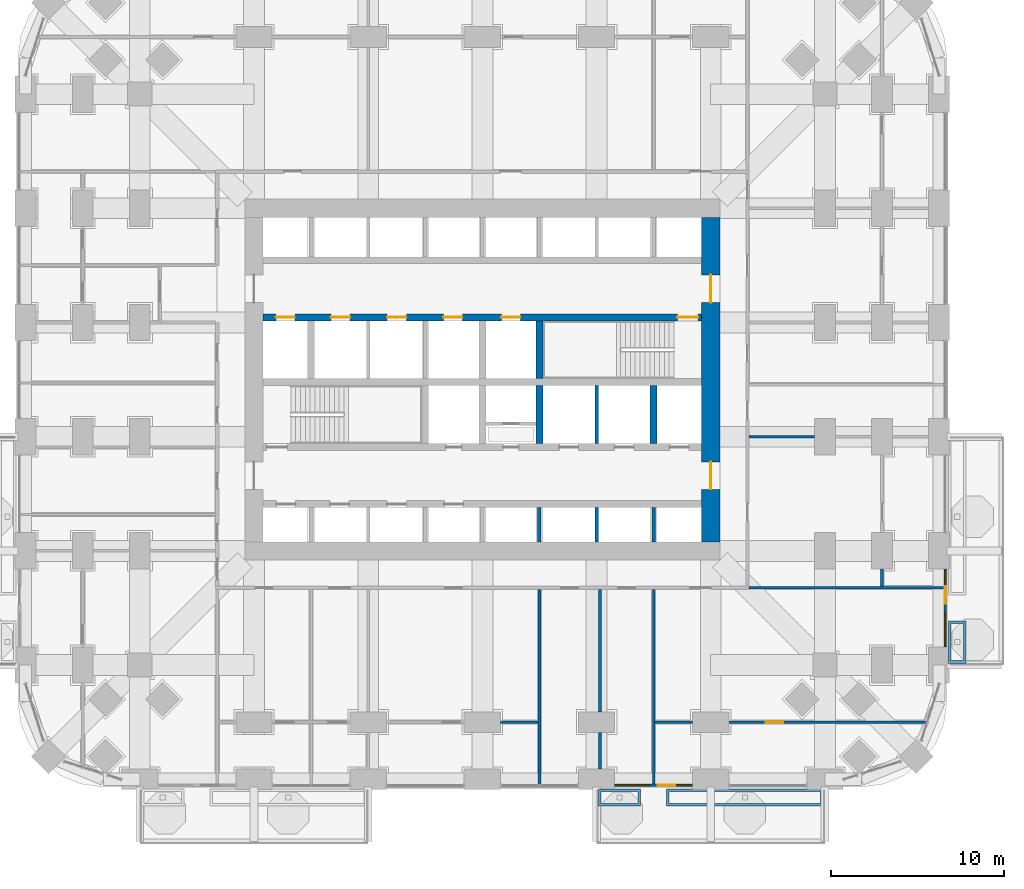
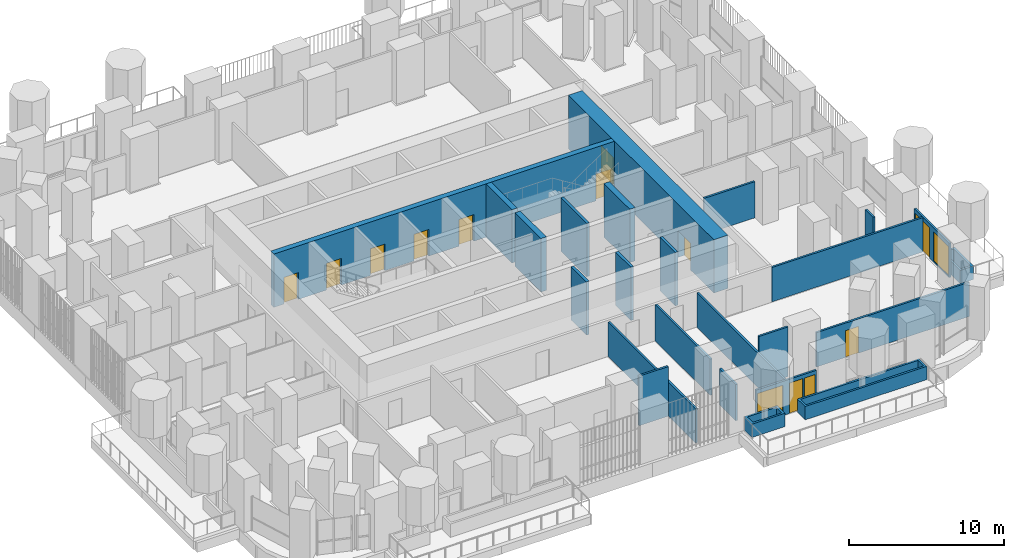
# One storey, part 20 of 27: 24 walls, 11 doors, 4 windows, 15 openings.
"""IFC4 building model written with IfcOpenShell, lengths in metres."""

from ifc_helpers import new_model, si_unit, direction, frame, frame_2d, origin, place, context, subcontext, project, spatial, polyline, rectangle, outline, extrude, material, layer, layer_set, type_object, element, fill, save


model = new_model("IFC4")

# Units and contexts
model_context = context("Model", 3, precision=1e-05, world=origin(), true_north=direction((0.0, 1.0)))
body_context = subcontext(model_context, "Body", "Model", "MODEL_VIEW")
ifc_project = project(units=[si_unit("LENGTHUNIT", "METRE"), si_unit("AREAUNIT", "SQUARE_METRE"), si_unit("VOLUMEUNIT", "CUBIC_METRE"), si_unit("PLANEANGLEUNIT", "RADIAN"), si_unit("MASSUNIT", "GRAM", prefix="KILO")], contexts=[model_context])

# Site, building, storey
site_placement = place(None, origin())
site = spatial("IfcSite", under=ifc_project, at=site_placement, CompositionType="ELEMENT")
building_placement = place(site_placement, origin())
building = spatial("IfcBuilding", under=site, at=building_placement, Name="Cobogo Forest Laboratory Tower", CompositionType="ELEMENT")
storey_placement = place(building_placement, frame((0.0, 0.0, 46.5)))
storey = spatial("IfcBuildingStorey", under=building, at=storey_placement, Name="L10", CompositionType="ELEMENT", Elevation=46.5)

# Wall, openings, doors
ifc_material_1 = material(Name="Concrete HA-50 (C50/60)", Category="concrete")
ifc_layer_1 = layer(ifc_material_1, 0.39990234375)
ifc_layer_set_1 = layer_set([ifc_layer_1], Name="CI400 core inner wall 400")
wall_type_1 = type_object("IfcWallType", Name="CI400 core inner wall 400", PredefinedType="SHEAR", material=ifc_layer_set_1)
wall_1_placement = place(storey_placement, frame((13.72509765625, 26.699951171875, 0.0), z_axis=(0.0, 0.0, 1.0), x_axis=(1.0, 0.0, 0.0)))
wall_1 = element("IfcWall", 1, at=wall_1_placement, inside=storey, type_object=wall_type_1, Name="Core wall CI-26.7 L10", PredefinedType="SHEAR", context=body_context, shape_type="SweptSolid", body=[
    extrude(rectangle(XDim=25.349853515625, YDim=0.39990234375, at=frame_2d((12.6748046875, 0.0))), origin(), (0.0, 0.0, 1.0), 4.199951171875),
])
opening_1_placement = place(wall_1_placement, frame((23.949951171875, 0.0, 0.0)))
opening_1 = element("IfcOpeningElement", 2, at=opening_1_placement, cuts=wall_1, Name="Opening L10-D31", PredefinedType="OPENING", context=body_context, shape_type="SweptSolid", body=[
    extrude(rectangle(XDim=1.199951171875, YDim=2.10009765625, at=frame_2d((0.60009765625, 1.050048828125))), frame((0.0, 0.2099609375, 0.0), z_axis=(0.0, -1.0, 0.0), x_axis=(1.0, 0.0, 0.0)), (0.0, 0.0, 1.0), 0.419921875),
])
opening_2_placement = place(wall_1_placement, frame((0.737548828125, 0.0, 0.0)))
opening_2 = element("IfcOpeningElement", 3, at=opening_2_placement, cuts=wall_1, Name="Opening L10-LD-FL1", PredefinedType="OPENING", context=body_context, shape_type="SweptSolid", body=[
    extrude(rectangle(XDim=1.10009765625, YDim=2.10009765625, at=frame_2d((0.550048828125, 1.050048828125))), frame((0.0, 0.2099609375, 0.0), z_axis=(0.0, -1.0, 0.0), x_axis=(1.0, 0.0, 0.0)), (0.0, 0.0, 1.0), 0.419921875),
])
opening_3_placement = place(wall_1_placement, frame((3.925048828125, 0.0, 0.0)))
opening_3 = element("IfcOpeningElement", 4, at=opening_3_placement, cuts=wall_1, Name="Opening L10-LD-LS3", PredefinedType="OPENING", context=body_context, shape_type="SweptSolid", body=[
    extrude(rectangle(XDim=1.10009765625, YDim=2.10009765625, at=frame_2d((0.550048828125, 1.050048828125))), frame((0.0, 0.2099609375, 0.0), z_axis=(0.0, -1.0, 0.0), x_axis=(1.0, 0.0, 0.0)), (0.0, 0.0, 1.0), 0.419921875),
])
opening_4_placement = place(wall_1_placement, frame((7.175048828125, 0.0, 0.0)))
opening_4 = element("IfcOpeningElement", 5, at=opening_4_placement, cuts=wall_1, Name="Opening L10-LD-LS4", PredefinedType="OPENING", context=body_context, shape_type="SweptSolid", body=[
    extrude(rectangle(XDim=1.10009765625, YDim=2.10009765625, at=frame_2d((0.550048828125, 1.050048828125))), frame((0.0, 0.2099609375, 0.0), z_axis=(0.0, -1.0, 0.0), x_axis=(1.0, 0.0, 0.0)), (0.0, 0.0, 1.0), 0.419921875),
])
opening_5_placement = place(wall_1_placement, frame((10.425048828125, 0.0, 0.0)))
opening_5 = element("IfcOpeningElement", 6, at=opening_5_placement, cuts=wall_1, Name="Opening L10-LD-LS5", PredefinedType="OPENING", context=body_context, shape_type="SweptSolid", body=[
    extrude(rectangle(XDim=1.10009765625, YDim=2.10009765625, at=frame_2d((0.550048828125, 1.050048828125))), frame((0.0, 0.2099609375, 0.0), z_axis=(0.0, -1.0, 0.0), x_axis=(1.0, 0.0, 0.0)), (0.0, 0.0, 1.0), 0.419921875),
])
opening_6_placement = place(wall_1_placement, frame((13.77490234375, 0.0, 0.0)))
opening_6 = element("IfcOpeningElement", 7, at=opening_6_placement, cuts=wall_1, Name="Opening L10-LD-LS6", PredefinedType="OPENING", context=body_context, shape_type="SweptSolid", body=[
    extrude(rectangle(XDim=1.10009765625, YDim=2.10009765625, at=frame_2d((0.550048828125, 1.050048828125))), frame((0.0, 0.2099609375, 0.0), z_axis=(0.0, -1.0, 0.0), x_axis=(1.0, 0.0, 0.0)), (0.0, 0.0, 1.0), 0.419921875),
])
ifc_material_2 = material(Name="Steel fire door", Category="steel")
door_type_1 = type_object("IfcDoorType", Name="DS1 protected stair door 1200 EI2 60", OperationType="SINGLE_SWING_LEFT", PredefinedType="DOOR", material=ifc_material_2)
door_1_placement = place(opening_1_placement, origin())
door_1 = element("IfcDoor", 8, at=door_1_placement, inside=storey, type_object=door_type_1, Name="Door L10-ST2", OperationType="SINGLE_SWING_RIGHT", OverallHeight=2.10009765625, OverallWidth=1.199951171875, PredefinedType="DOOR", context=body_context, shape_type="SweptSolid", body=[
    extrude(rectangle(XDim=1.199951171875, YDim=2.10009765625, at=frame_2d((0.60009765625, 1.050048828125))), frame((0.0, 0.02490234375, 0.0), z_axis=(0.0, -1.0, 0.0), x_axis=(1.0, 0.0, 0.0)), (0.0, 0.0, 1.0), 0.050048828125),
])
fill(opening_1, door_1)
ifc_material_3 = material(Name="Stainless steel lift door", Category="steel")
door_type_2 = type_object("IfcDoorType", Name="LD lift landing door 1100", OperationType="DOUBLE_DOOR_SLIDING", PredefinedType="DOOR", material=ifc_material_3)
door_2_placement = place(opening_2_placement, origin())
door_2 = element("IfcDoor", 9, at=door_2_placement, inside=storey, type_object=door_type_2, Name="Lift landing door FL1 L10", OperationType="DOUBLE_DOOR_SLIDING", OverallHeight=2.10009765625, OverallWidth=1.10009765625, PredefinedType="DOOR", context=body_context, shape_type="SweptSolid", body=[
    extrude(rectangle(XDim=1.10009765625, YDim=2.10009765625, at=frame_2d((0.550048828125, 1.050048828125))), frame((0.0, 0.02490234375, 0.0), z_axis=(0.0, -1.0, 0.0), x_axis=(1.0, 0.0, 0.0)), (0.0, 0.0, 1.0), 0.050048828125),
])
fill(opening_2, door_2)
door_3_placement = place(opening_3_placement, origin())
door_3 = element("IfcDoor", 10, at=door_3_placement, inside=storey, type_object=door_type_2, Name="Lift landing door LS3 L10", OperationType="DOUBLE_DOOR_SLIDING", OverallHeight=2.10009765625, OverallWidth=1.10009765625, PredefinedType="DOOR", context=body_context, shape_type="SweptSolid", body=[
    extrude(rectangle(XDim=1.10009765625, YDim=2.10009765625, at=frame_2d((0.550048828125, 1.050048828125))), frame((0.0, 0.02490234375, 0.0), z_axis=(0.0, -1.0, 0.0), x_axis=(1.0, 0.0, 0.0)), (0.0, 0.0, 1.0), 0.050048828125),
])
fill(opening_3, door_3)
door_4_placement = place(opening_4_placement, origin())
door_4 = element("IfcDoor", 11, at=door_4_placement, inside=storey, type_object=door_type_2, Name="Lift landing door LS4 L10", OperationType="DOUBLE_DOOR_SLIDING", OverallHeight=2.10009765625, OverallWidth=1.10009765625, PredefinedType="DOOR", context=body_context, shape_type="SweptSolid", body=[
    extrude(rectangle(XDim=1.10009765625, YDim=2.10009765625, at=frame_2d((0.550048828125, 1.050048828125))), frame((0.0, 0.02490234375, 0.0), z_axis=(0.0, -1.0, 0.0), x_axis=(1.0, 0.0, 0.0)), (0.0, 0.0, 1.0), 0.050048828125),
])
fill(opening_4, door_4)
door_5_placement = place(opening_5_placement, origin())
door_5 = element("IfcDoor", 12, at=door_5_placement, inside=storey, type_object=door_type_2, Name="Lift landing door LS5 L10", OperationType="DOUBLE_DOOR_SLIDING", OverallHeight=2.10009765625, OverallWidth=1.10009765625, PredefinedType="DOOR", context=body_context, shape_type="SweptSolid", body=[
    extrude(rectangle(XDim=1.10009765625, YDim=2.10009765625, at=frame_2d((0.550048828125, 1.050048828125))), frame((0.0, 0.02490234375, 0.0), z_axis=(0.0, -1.0, 0.0), x_axis=(1.0, 0.0, 0.0)), (0.0, 0.0, 1.0), 0.050048828125),
])
fill(opening_5, door_5)
door_6_placement = place(opening_6_placement, origin())
door_6 = element("IfcDoor", 13, at=door_6_placement, inside=storey, type_object=door_type_2, Name="Lift landing door LS6 L10", OperationType="DOUBLE_DOOR_SLIDING", OverallHeight=2.10009765625, OverallWidth=1.10009765625, PredefinedType="DOOR", context=body_context, shape_type="SweptSolid", body=[
    extrude(rectangle(XDim=1.10009765625, YDim=2.10009765625, at=frame_2d((0.550048828125, 1.050048828125))), frame((0.0, 0.02490234375, 0.0), z_axis=(0.0, -1.0, 0.0), x_axis=(1.0, 0.0, 0.0)), (0.0, 0.0, 1.0), 0.050048828125),
])
fill(opening_6, door_6)

# Walls
for number, where, z_axis, x_axis, name in (
    (14, (29.699951171875, 19.39990234375, 0.0), (0.0, 0.0, 1.0), (0.0, 1.0, 0.0), "Core wall CX-29.7S L10"),
    (15, (36.300048828125, 19.39990234375, 0.0), (0.0, 0.0, 1.0), (0.0, 1.0, 0.0), "Core wall CX-36.3 L10"),
    (16, (29.699951171875, 23.14990234375, 0.0), (0.0, 0.0, 1.0), (0.0, 1.0, 0.0), "Core wall CX-29.7N L10"),
):
    element("IfcWall", number, at=place(storey_placement, frame(where, z_axis=z_axis, x_axis=x_axis)), inside=storey, type_object=wall_type_1, Name=name, PredefinedType="SHEAR", context=body_context, shape_type="SweptSolid", body=[
        extrude(rectangle(XDim=3.35009765625, YDim=0.39990234375, at=frame_2d((1.675048828125, 0.0))), origin(), (0.0, 0.0, 1.0), 4.199951171875),
    ])

# Wall, openings, doors
ifc_layer_2 = layer(ifc_material_1, 1.050048828125)
ifc_layer_set_2 = layer_set([ifc_layer_2], Name="CW1050 core outer wall 1050")
wall_type_2 = type_object("IfcWallType", Name="CW1050 core outer wall 1050", PredefinedType="SHEAR", material=ifc_layer_set_2)
wall_2_placement = place(storey_placement, frame((39.60009765625, 13.72509765625, 0.0), z_axis=(0.0, 0.0, 1.0), x_axis=(0.0, 1.0, 0.0)))
wall_2 = element("IfcWall", 17, at=wall_2_placement, inside=storey, type_object=wall_type_2, Name="Core wall CO-E L10", PredefinedType="SHEAR", context=body_context, shape_type="SweptSolid", body=[
    extrude(rectangle(XDim=18.75, YDim=1.050048828125, at=frame_2d((9.375, 0.0))), origin(), (0.0, 0.0, 1.0), 4.199951171875),
])
opening_7_placement = place(wall_2_placement, frame((3.02490234375, 0.0, 0.0)))
opening_7 = element("IfcOpeningElement", 18, at=opening_7_placement, cuts=wall_2, Name="Opening L10-D22", PredefinedType="OPENING", context=body_context, shape_type="SweptSolid", body=[
    extrude(rectangle(XDim=1.60009765625, YDim=2.10009765625, at=frame_2d((0.800048828125, 1.050048828125))), frame((0.0, 0.534912109375, 0.0), z_axis=(0.0, -1.0, 0.0), x_axis=(1.0, 0.0, 0.0)), (0.0, 0.0, 1.0), 1.070068359375),
])
opening_8_placement = place(wall_2_placement, frame((13.824951171875, 0.0, 0.0)))
opening_8 = element("IfcOpeningElement", 19, at=opening_8_placement, cuts=wall_2, Name="Opening L10-D35", PredefinedType="OPENING", context=body_context, shape_type="SweptSolid", body=[
    extrude(rectangle(XDim=1.60009765625, YDim=2.10009765625, at=frame_2d((0.800048828125, 1.050048828125))), frame((0.0, 0.534912109375, 0.0), z_axis=(0.0, -1.0, 0.0), x_axis=(1.0, 0.0, 0.0)), (0.0, 0.0, 1.0), 1.070068359375),
])
door_type_3 = type_object("IfcDoorType", Name="DS2 protected lobby door pair 1600 EI2 60", OperationType="DOUBLE_DOOR_DOUBLE_SWING", PredefinedType="DOOR", material=ifc_material_2)
door_7_placement = place(opening_7_placement, origin())
door_7 = element("IfcDoor", 20, at=door_7_placement, inside=storey, type_object=door_type_3, Name="Door L10-CO-E-S", OperationType="DOUBLE_DOOR_DOUBLE_SWING", OverallHeight=2.10009765625, OverallWidth=1.60009765625, PredefinedType="DOOR", context=body_context, shape_type="SweptSolid", body=[
    extrude(rectangle(XDim=1.60009765625, YDim=2.10009765625, at=frame_2d((0.800048828125, 1.050048828125))), frame((0.0, 0.02490234375, 0.0), z_axis=(0.0, -1.0, 0.0), x_axis=(1.0, 0.0, 0.0)), (0.0, 0.0, 1.0), 0.050048828125),
])
fill(opening_7, door_7)
door_8_placement = place(opening_8_placement, origin())
door_8 = element("IfcDoor", 21, at=door_8_placement, inside=storey, type_object=door_type_3, Name="Door L10-CO-E-N", OperationType="DOUBLE_DOOR_DOUBLE_SWING", OverallHeight=2.10009765625, OverallWidth=1.60009765625, PredefinedType="DOOR", context=body_context, shape_type="SweptSolid", body=[
    extrude(rectangle(XDim=1.60009765625, YDim=2.10009765625, at=frame_2d((0.800048828125, 1.050048828125))), frame((0.0, 0.02490234375, 0.0), z_axis=(0.0, -1.0, 0.0), x_axis=(1.0, 0.0, 0.0)), (0.0, 0.0, 1.0), 0.050048828125),
])
fill(opening_8, door_8)

# Wall, openings, door, windows
ifc_material_4 = material(Name="Aluminium framed glazed screen", Category="aluminium")
ifc_layer_3 = layer(ifc_material_4, 0.14990234375)
ifc_layer_set_3 = layer_set([ifc_layer_3], Name="GS1 glazed door screen 150")
wall_type_3 = type_object("IfcWallType", Name="GS1 glazed door screen 150", PredefinedType="SOLIDWALL", material=ifc_layer_set_3)
wall_3_placement = place(storey_placement, frame((34.050048828125, -0.35009765625, 0.0), z_axis=(0.0, 0.0, 1.0), x_axis=(1.0, 0.0, 0.0)))
wall_3 = element("IfcWall", 22, at=wall_3_placement, inside=storey, type_object=wall_type_3, Name="Door screen BAL-S2 L10", PredefinedType="SOLIDWALL", context=body_context, shape_type="SweptSolid", body=[
    extrude(rectangle(XDim=4.5, YDim=0.14990234375, at=frame_2d((2.25, 0.0))), origin(), (0.0, 0.0, 1.0), 2.699951171875),
])
opening_9_placement = place(wall_3_placement, frame((2.5, 0.0, 0.0)))
opening_9 = element("IfcOpeningElement", 23, at=opening_9_placement, cuts=wall_3, Name="Opening L10-D02", PredefinedType="OPENING", context=body_context, shape_type="SweptSolid", body=[
    extrude(rectangle(XDim=1.0, YDim=2.39990234375, at=frame_2d((0.5, 1.199951171875))), frame((0.0, 0.0849609375, 0.0), z_axis=(0.0, -1.0, 0.0), x_axis=(1.0, 0.0, 0.0)), (0.0, 0.0, 1.0), 0.169921875),
])
opening_10_placement = place(wall_3_placement, frame((0.10009765625, 0.0, 0.10009765625)))
opening_10 = element("IfcOpeningElement", 24, at=opening_10_placement, cuts=wall_3, Name="Opening L10-W03", PredefinedType="OPENING", context=body_context, shape_type="SweptSolid", body=[
    extrude(rectangle(XDim=1.89990234375, YDim=2.300048828125, at=frame_2d((0.949951171875, 1.14990234375))), frame((0.0, 0.0849609375, 0.0), z_axis=(0.0, -1.0, 0.0), x_axis=(1.0, 0.0, 0.0)), (0.0, 0.0, 1.0), 0.169921875),
])
opening_11_placement = place(wall_3_placement, frame((3.60009765625, 0.0, 0.10009765625)))
opening_11 = element("IfcOpeningElement", 25, at=opening_11_placement, cuts=wall_3, Name="Opening L10-W04", PredefinedType="OPENING", context=body_context, shape_type="SweptSolid", body=[
    extrude(rectangle(XDim=0.800048828125, YDim=2.300048828125, at=frame_2d((0.39990234375, 1.14990234375))), frame((0.0, 0.0849609375, 0.0), z_axis=(0.0, -1.0, 0.0), x_axis=(1.0, 0.0, 0.0)), (0.0, 0.0, 1.0), 0.169921875),
])
ifc_material_5 = material(Name="Aluminium glazed door", Category="aluminium")
door_type_4 = type_object("IfcDoorType", Name="DB1 balcony door 1000 glazed", OperationType="SINGLE_SWING_LEFT", PredefinedType="DOOR", material=ifc_material_5)
door_9_placement = place(opening_9_placement, origin())
door_9 = element("IfcDoor", 26, at=door_9_placement, inside=storey, type_object=door_type_4, Name="Door L10-BAL-S2", OperationType="SINGLE_SWING_RIGHT", OverallHeight=2.39990234375, OverallWidth=1.0, PredefinedType="DOOR", context=body_context, shape_type="SweptSolid", body=[
    extrude(rectangle(XDim=1.0, YDim=2.39990234375, at=frame_2d((0.5, 1.199951171875))), frame((0.0, 0.02490234375, 0.0), z_axis=(0.0, -1.0, 0.0), x_axis=(1.0, 0.0, 0.0)), (0.0, 0.0, 1.0), 0.050048828125),
])
fill(opening_9, door_9)
ifc_material_6 = material(Name="Aluminium framed glazing", Category="aluminium")
window_type_1 = type_object("IfcWindowType", Name="WG3 fixed glazed light 1900x2300", PartitioningType="SINGLE_PANEL", PredefinedType="WINDOW", material=ifc_material_6)
window_1_placement = place(opening_10_placement, origin())
window_1 = element("IfcWindow", 27, at=window_1_placement, inside=storey, type_object=window_type_1, Name="Window L10-BAL-S2-1", OverallHeight=2.300048828125, OverallWidth=1.89990234375, PartitioningType="SINGLE_PANEL", PredefinedType="WINDOW", context=body_context, shape_type="SweptSolid", body=[
    extrude(rectangle(XDim=1.89990234375, YDim=2.300048828125, at=frame_2d((0.949951171875, 1.14990234375))), frame((0.0, 0.030029296875, 0.0), z_axis=(0.0, -1.0, 0.0), x_axis=(1.0, 0.0, 0.0)), (0.0, 0.0, 1.0), 0.06005859375),
])
fill(opening_10, window_1)
window_type_2 = type_object("IfcWindowType", Name="WG4 fixed glazed light 800x2300", PartitioningType="SINGLE_PANEL", PredefinedType="WINDOW", material=ifc_material_6)
window_2_placement = place(opening_11_placement, origin())
window_2 = element("IfcWindow", 28, at=window_2_placement, inside=storey, type_object=window_type_2, Name="Window L10-BAL-S2-2", OverallHeight=2.300048828125, OverallWidth=0.800048828125, PartitioningType="SINGLE_PANEL", PredefinedType="WINDOW", context=body_context, shape_type="SweptSolid", body=[
    extrude(rectangle(XDim=0.800048828125, YDim=2.300048828125, at=frame_2d((0.39990234375, 1.14990234375))), frame((0.0, 0.030029296875, 0.0), z_axis=(0.0, -1.0, 0.0), x_axis=(1.0, 0.0, 0.0)), (0.0, 0.0, 1.0), 0.06005859375),
])
fill(opening_11, window_2)

wall_4_placement = place(storey_placement, frame((53.14990234375, 7.64990234375, 0.0), z_axis=(0.0, 0.0, 1.0), x_axis=(0.0, 1.0, 0.0)))
wall_4 = element("IfcWall", 29, at=wall_4_placement, inside=storey, type_object=wall_type_3, Name="Door screen BAL-E1 L10", PredefinedType="SOLIDWALL", context=body_context, shape_type="SweptSolid", body=[
    extrude(rectangle(XDim=4.5, YDim=0.14990234375, at=frame_2d((2.25, 0.0))), origin(), (0.0, 0.0, 1.0), 2.699951171875),
])
opening_12_placement = place(wall_4_placement, frame((2.5, 0.0, 0.0)))
opening_12 = element("IfcOpeningElement", 30, at=opening_12_placement, cuts=wall_4, Name="Opening L10-D09", PredefinedType="OPENING", context=body_context, shape_type="SweptSolid", body=[
    extrude(rectangle(XDim=1.0, YDim=2.39990234375, at=frame_2d((0.5, 1.199951171875))), frame((0.0, 0.0849609375, 0.0), z_axis=(0.0, -1.0, 0.0), x_axis=(1.0, 0.0, 0.0)), (0.0, 0.0, 1.0), 0.169921875),
])
opening_13_placement = place(wall_4_placement, frame((0.10009765625, 0.0, 0.10009765625)))
opening_13 = element("IfcOpeningElement", 31, at=opening_13_placement, cuts=wall_4, Name="Opening L10-W06", PredefinedType="OPENING", context=body_context, shape_type="SweptSolid", body=[
    extrude(rectangle(XDim=1.89990234375, YDim=2.300048828125, at=frame_2d((0.949951171875, 1.14990234375))), frame((0.0, 0.0849609375, 0.0), z_axis=(0.0, -1.0, 0.0), x_axis=(1.0, 0.0, 0.0)), (0.0, 0.0, 1.0), 0.169921875),
])
opening_14_placement = place(wall_4_placement, frame((3.60009765625, 0.0, 0.10009765625)))
opening_14 = element("IfcOpeningElement", 32, at=opening_14_placement, cuts=wall_4, Name="Opening L10-W08", PredefinedType="OPENING", context=body_context, shape_type="SweptSolid", body=[
    extrude(rectangle(XDim=0.800048828125, YDim=2.300048828125, at=frame_2d((0.39990234375, 1.14990234375))), frame((0.0, 0.0849609375, 0.0), z_axis=(0.0, -1.0, 0.0), x_axis=(1.0, 0.0, 0.0)), (0.0, 0.0, 1.0), 0.169921875),
])
door_10_placement = place(opening_12_placement, origin())
door_10 = element("IfcDoor", 33, at=door_10_placement, inside=storey, type_object=door_type_4, Name="Door L10-BAL-E1", OperationType="SINGLE_SWING_RIGHT", OverallHeight=2.39990234375, OverallWidth=1.0, PredefinedType="DOOR", context=body_context, shape_type="SweptSolid", body=[
    extrude(rectangle(XDim=1.0, YDim=2.39990234375, at=frame_2d((0.5, 1.199951171875))), frame((0.0, 0.02490234375, 0.0), z_axis=(0.0, -1.0, 0.0), x_axis=(1.0, 0.0, 0.0)), (0.0, 0.0, 1.0), 0.050048828125),
])
fill(opening_12, door_10)
window_3_placement = place(opening_13_placement, origin())
window_3 = element("IfcWindow", 34, at=window_3_placement, inside=storey, type_object=window_type_1, Name="Window L10-BAL-E1-1", OverallHeight=2.300048828125, OverallWidth=1.89990234375, PartitioningType="SINGLE_PANEL", PredefinedType="WINDOW", context=body_context, shape_type="SweptSolid", body=[
    extrude(rectangle(XDim=1.89990234375, YDim=2.300048828125, at=frame_2d((0.949951171875, 1.14990234375))), frame((0.0, 0.030029296875, 0.0), z_axis=(0.0, -1.0, 0.0), x_axis=(1.0, 0.0, 0.0)), (0.0, 0.0, 1.0), 0.06005859375),
])
fill(opening_13, window_3)
window_4_placement = place(opening_14_placement, origin())
window_4 = element("IfcWindow", 35, at=window_4_placement, inside=storey, type_object=window_type_2, Name="Window L10-BAL-E1-2", OverallHeight=2.300048828125, OverallWidth=0.800048828125, PartitioningType="SINGLE_PANEL", PredefinedType="WINDOW", context=body_context, shape_type="SweptSolid", body=[
    extrude(rectangle(XDim=0.800048828125, YDim=2.300048828125, at=frame_2d((0.39990234375, 1.14990234375))), frame((0.0, 0.030029296875, 0.0), z_axis=(0.0, -1.0, 0.0), x_axis=(1.0, 0.0, 0.0)), (0.0, 0.0, 1.0), 0.06005859375),
])
fill(opening_14, window_4)

# Walls
ifc_material_7 = material(Name="Gypsum board on steel studs", Category="steel")
ifc_layer_4 = layer(ifc_material_7, 0.14990234375)
ifc_layer_set_4 = layer_set([ifc_layer_4], Name="PT1 laboratory partition 150")
wall_type_4 = type_object("IfcWallType", Name="PT1 laboratory partition 150", PredefinedType="PARTITIONING", material=ifc_layer_set_4)
wall_5_placement = place(storey_placement, frame((53.070068359375, 11.074951171875, 0.0), z_axis=(0.0, 0.0, 1.0), x_axis=(-1.0, 0.0, 0.0)))
element("IfcWall", 36, at=wall_5_placement, inside=storey, type_object=wall_type_4, Name="Partition PW-SE L10", PredefinedType="PARTITIONING", context=body_context, shape_type="SweptSolid", body=[
    extrude(rectangle(XDim=11.2451171875, YDim=0.14990234375, at=frame_2d((5.62255859375, 0.0))), origin(), (0.0, 0.0, 1.0), 2.699951171875),
])
for number, where, z_axis, x_axis, name in (
    (37, (27.449951171875, 3.300048828125, 0.0), (0.0, 0.0, 1.0), (1.0, 0.0, 0.0), "Partition STRIP-S-4 L10"),
    (38, (36.375, 3.300048828125, 0.0), (0.0, 0.0, 1.0), (1.0, 0.0, 0.0), "Partition STRIP-S-5 L10"),
):
    element("IfcWall", number, at=place(storey_placement, frame(where, z_axis=z_axis, x_axis=x_axis)), inside=storey, type_object=wall_type_4, Name=name, PredefinedType="PARTITIONING", context=body_context, shape_type="SweptSolid", body=[
        extrude(rectangle(XDim=2.175048828125, YDim=0.14990234375, at=frame_2d((1.08740234375, 0.0))), origin(), (0.0, 0.0, 1.0), 3.89990234375),
    ])

# Wall, opening, door
wall_6_placement = place(storey_placement, frame((40.64990234375, 3.300048828125, 0.0), z_axis=(0.0, 0.0, 1.0), x_axis=(1.0, 0.0, 0.0)))
wall_6 = element("IfcWall", 39, at=wall_6_placement, inside=storey, type_object=wall_type_4, Name="Partition STRIP-S-6 L10", PredefinedType="PARTITIONING", context=body_context, shape_type="SweptSolid", body=[
    extrude(rectangle(XDim=11.3740234375, YDim=0.14990234375, at=frame_2d((5.68701171875, 0.0))), origin(), (0.0, 0.0, 1.0), 2.699951171875),
])
opening_15_placement = place(wall_6_placement, frame((2.14208984375, 0.0, 0.0)))
opening_15 = element("IfcOpeningElement", 40, at=opening_15_placement, cuts=wall_6, Name="Opening L10-D06", PredefinedType="OPENING", context=body_context, shape_type="SweptSolid", body=[
    extrude(rectangle(XDim=1.0, YDim=2.10009765625, at=frame_2d((0.5, 1.050048828125))), frame((0.0, 0.0849609375, 0.0), z_axis=(0.0, -1.0, 0.0), x_axis=(1.0, 0.0, 0.0)), (0.0, 0.0, 1.0), 0.169921875),
])
ifc_material_8 = material(Name="Timber fire door", Category="wood")
door_type_5 = type_object("IfcDoorType", Name="FD2 fire door 1000 EI2 30", OperationType="SINGLE_SWING_LEFT", PredefinedType="DOOR", material=ifc_material_8)
door_11_placement = place(opening_15_placement, origin())
door_11 = element("IfcDoor", 41, at=door_11_placement, inside=storey, type_object=door_type_5, Name="Door L10-S4W", OperationType="SINGLE_SWING_LEFT", OverallHeight=2.10009765625, OverallWidth=1.0, PredefinedType="DOOR", context=body_context, shape_type="SweptSolid", body=[
    extrude(rectangle(XDim=1.0, YDim=2.10009765625, at=frame_2d((0.5, 1.050048828125))), frame((0.0, 0.02490234375, 0.0), z_axis=(0.0, -1.0, 0.0), x_axis=(1.0, 0.0, 0.0)), (0.0, 0.0, 1.0), 0.050048828125),
])
fill(opening_15, door_11)

# Walls
wall_7_placement = place(storey_placement, frame((33.199951171875, 0.60009765625, 0.0), z_axis=(0.0, 0.0, 1.0), x_axis=(0.0, 1.0, 0.0)))
element("IfcWall", 42, at=wall_7_placement, inside=storey, type_object=wall_type_4, Name="Partition SVC-S1-1 L10", PredefinedType="PARTITIONING", context=body_context, shape_type="SweptSolid", body=[
    extrude(rectangle(XDim=2.099853515625, YDim=0.14990234375, at=frame_2d((1.0498046875, 0.0))), origin(), (0.0, 0.0, 1.0), 2.85009765625),
])
wall_8_placement = place(storey_placement, frame((33.199951171875, 3.89990234375, 0.0), z_axis=(0.0, 0.0, 1.0), x_axis=(0.0, 1.0, 0.0)))
element("IfcWall", 43, at=wall_8_placement, inside=storey, type_object=wall_type_4, Name="Partition SVC-S1-2 L10", PredefinedType="PARTITIONING", context=body_context, shape_type="SweptSolid", body=[
    extrude(rectangle(XDim=7.0751953125, YDim=0.14990234375, at=frame_2d((3.53759765625, 0.0))), origin(), (0.0, 0.0, 1.0), 2.85009765625),
])
for number, where, z_axis, x_axis, name in (
    (44, (36.300048828125, -0.27001953125, 0.0), (0.0, 0.0, 1.0), (0.0, 1.0, 0.0), "Partition SVC-S2-1 L10"),
    (45, (29.699951171875, -0.27001953125, 0.0), (0.0, 0.0, 1.0), (0.0, 1.0, 0.0), "Partition CUT-S29.7-1 L10"),
):
    element("IfcWall", number, at=place(storey_placement, frame(where, z_axis=z_axis, x_axis=x_axis)), inside=storey, type_object=wall_type_4, Name=name, PredefinedType="PARTITIONING", context=body_context, shape_type="SweptSolid", body=[
        extrude(rectangle(XDim=11.2451171875, YDim=0.14990234375, at=frame_2d((5.62255859375, 0.0))), origin(), (0.0, 0.0, 1.0), 2.699951171875),
    ])
wall_9_placement = place(storey_placement, frame((49.5, 11.14990234375, 0.0), z_axis=(0.0, 0.0, 1.0), x_axis=(0.0, 1.0, 0.0)))
element("IfcWall", 46, at=wall_9_placement, inside=storey, type_object=wall_type_4, Name="Partition STRIP-E-1 L10", PredefinedType="PARTITIONING", context=body_context, shape_type="SweptSolid", body=[
    extrude(rectangle(XDim=1.0, YDim=0.14990234375, at=frame_2d((0.5, 0.0))), origin(), (0.0, 0.0, 1.0), 3.89990234375),
])
wall_10_placement = place(storey_placement, frame((45.60009765625, 19.800048828125, 0.0), z_axis=(0.0, 0.0, 1.0), x_axis=(-1.0, 0.0, 0.0)))
element("IfcWall", 47, at=wall_10_placement, inside=storey, type_object=wall_type_4, Name="Partition CUT-E19.8-3 L10", PredefinedType="PARTITIONING", context=body_context, shape_type="SweptSolid", body=[
    extrude(rectangle(XDim=3.775146484375, YDim=0.14990234375, at=frame_2d((1.8876953125, 0.0))), origin(), (0.0, 0.0, 1.0), 2.85009765625),
])
ifc_material_9 = material(Name="Concrete HA-40 (C40/50)", Category="concrete")
ifc_layer_5 = layer(ifc_material_9, 0.14990234375)
ifc_layer_set_5 = layer_set([ifc_layer_5], Name="Planter box 1000x1050")
wall_type_5 = type_object("IfcWallType", Name="Planter box 1000x1050", PredefinedType="USERDEFINED", material=ifc_layer_set_5)
wall_11_placement = place(storey_placement, origin())
element("IfcWall", 48, at=wall_11_placement, inside=storey, type_object=wall_type_5, Name="Planter BAL-S2-1 L10", ObjectType="PLANTER", PredefinedType="USERDEFINED", context=body_context, shape_type="SweptSolid", body=[
    extrude(outline(polyline([(33.10009765625, -1.550048828125), (35.550048828125, -1.550048828125), (35.550048828125, -0.550048828125), (33.10009765625, -0.550048828125), (33.10009765625, -1.550048828125)]), holes=[polyline([(33.25, -1.39990234375), (35.39990234375, -1.39990234375), (35.39990234375, -0.699951171875), (33.25, -0.699951171875), (33.25, -1.39990234375)])]), origin(), (0.0, 0.0, 1.0), 1.050048828125),
])
wall_12_placement = place(storey_placement, origin())
element("IfcWall", 49, at=wall_12_placement, inside=storey, type_object=wall_type_5, Name="Planter BAL-S2-2 L10", ObjectType="PLANTER", PredefinedType="USERDEFINED", context=body_context, shape_type="SweptSolid", body=[
    extrude(outline(polyline([(37.050048828125, -1.550048828125), (46.10009765625, -1.550048828125), (46.10009765625, -0.550048828125), (37.050048828125, -0.550048828125), (37.050048828125, -1.550048828125)]), holes=[polyline([(37.199951171875, -1.39990234375), (45.949951171875, -1.39990234375), (45.949951171875, -0.699951171875), (37.199951171875, -0.699951171875), (37.199951171875, -1.39990234375)])]), origin(), (0.0, 0.0, 1.0), 1.050048828125),
])
wall_13_placement = place(storey_placement, origin())
element("IfcWall", 50, at=wall_13_placement, inside=storey, type_object=wall_type_5, Name="Planter BAL-E1-1 L10", ObjectType="PLANTER", PredefinedType="USERDEFINED", context=body_context, shape_type="SweptSolid", body=[
    extrude(outline(polyline([(53.35009765625, 6.699951171875), (54.35009765625, 6.699951171875), (54.35009765625, 9.14990234375), (53.35009765625, 9.14990234375), (53.35009765625, 6.699951171875)]), holes=[polyline([(53.5, 6.85009765625), (54.199951171875, 6.85009765625), (54.199951171875, 9.0), (53.5, 9.0), (53.5, 6.85009765625)])]), origin(), (0.0, 0.0, 1.0), 1.050048828125),
])
ifc_material_10 = material(Name="Concrete block", Category="concrete")
ifc_layer_6 = layer(ifc_material_10, 0.199951171875)
ifc_layer_set_6 = layer_set([ifc_layer_6], Name="SW200 lift shaft separator 200")
wall_type_6 = type_object("IfcWallType", Name="SW200 lift shaft separator 200", PredefinedType="PARTITIONING", material=ifc_layer_set_6)
for number, where, z_axis, x_axis, name in (
    (51, (29.699951171875, 13.72509765625, 0.0), (0.0, 0.0, 1.0), (0.0, 1.0, 0.0), "Core wall SEP-S5 L10"),
    (52, (33.0, 13.72509765625, 0.0), (0.0, 0.0, 1.0), (0.0, 1.0, 0.0), "Core wall SEP-S6 L10"),
    (53, (36.300048828125, 13.72509765625, 0.0), (0.0, 0.0, 1.0), (0.0, 1.0, 0.0), "Core wall SEP-S7 L10"),
):
    element("IfcWall", number, at=place(storey_placement, frame(where, z_axis=z_axis, x_axis=x_axis)), inside=storey, type_object=wall_type_6, Name=name, PredefinedType="PARTITIONING", context=body_context, shape_type="SweptSolid", body=[
        extrude(rectangle(XDim=1.974853515625, YDim=0.199951171875, at=frame_2d((0.9873046875, 0.0))), origin(), (0.0, 0.0, 1.0), 4.199951171875),
    ])
wall_14_placement = place(storey_placement, frame((33.0, 19.39990234375, 0.0), z_axis=(0.0, 0.0, 1.0), x_axis=(0.0, 1.0, 0.0)))
element("IfcWall", 54, at=wall_14_placement, inside=storey, type_object=wall_type_6, Name="Core wall SEP-M33.0 L10", PredefinedType="PARTITIONING", context=body_context, shape_type="SweptSolid", body=[
    extrude(rectangle(XDim=3.35009765625, YDim=0.199951171875, at=frame_2d((1.675048828125, 0.0))), origin(), (0.0, 0.0, 1.0), 4.199951171875),
])

save(model, "model.ifc")
